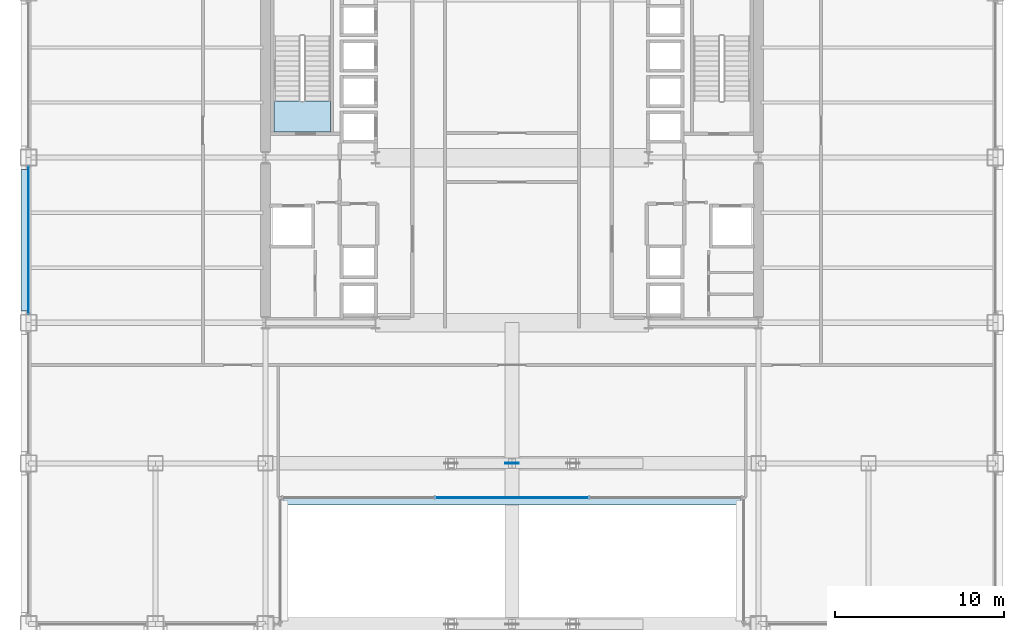
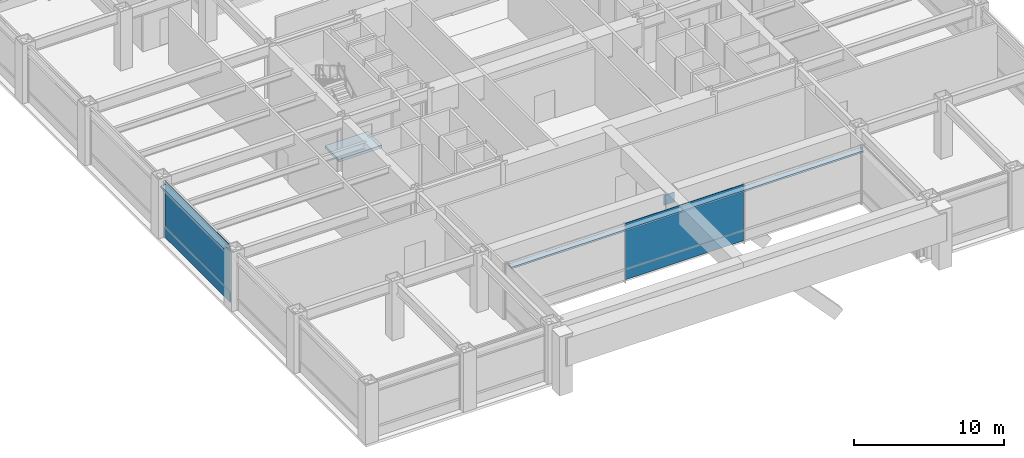
# One storey, part 25 of 37: 7 plates, 1 slab, 2 elements without a shape of their own.
"""IFC4 building model written with IfcOpenShell, lengths in metres."""

from ifc_helpers import new_model, si_unit, direction, frame, origin, origin_2d, place, context, subcontext, project, spatial, polyline, rectangle, outline, extrude, material, layer, layer_set, type_object, element, aggregate, save


model = new_model("IFC4")

# Units and contexts
model_context = context("Model", 3, precision=1e-05, world=origin(), true_north=direction((0.0, 1.0)))
body_context = subcontext(model_context, "Body", "Model", "MODEL_VIEW")
ifc_project = project(units=[si_unit("LENGTHUNIT", "METRE"), si_unit("AREAUNIT", "SQUARE_METRE"), si_unit("VOLUMEUNIT", "CUBIC_METRE"), si_unit("PLANEANGLEUNIT", "RADIAN"), si_unit("MASSUNIT", "GRAM", prefix="KILO")], contexts=[model_context])

# Site, building, storey
site_placement = place(None, origin())
site = spatial("IfcSite", under=ifc_project, at=site_placement, CompositionType="ELEMENT")
building_placement = place(site_placement, origin())
building = spatial("IfcBuilding", under=site, at=building_placement, Name="Brelmoor Portico Tower", CompositionType="ELEMENT")
storey_placement = place(building_placement, frame((0.0, 0.0, 14.39990234375)))
storey = spatial("IfcBuildingStorey", under=building, at=storey_placement, Name="L03", CompositionType="ELEMENT", Elevation=14.39990234375)

# Curtain wall, plate
ifc_material_1 = material(Name="Anodised Aluminium Alloy 6063-T6", Category="aluminium")
ifc_layer_1 = layer(ifc_material_1, 0.179931640625)
ifc_layer_set_1 = layer_set([ifc_layer_1], Name="Anodised Aluminium Alloy 6063-T6")
curtain_wall_type = type_object("IfcCurtainWallType", Name="CW-PODIUM-ARCH", PredefinedType="NOTDEFINED", material=ifc_layer_set_1)
curtain_wall_1_placement = place(storey_placement, origin())
curtain_wall_1 = element("IfcCurtainWall", 1, at=curtain_wall_1_placement, inside=storey, type_object=curtain_wall_type, Name="L03 Curtain Wall CW-L03-05", PredefinedType="NOTDEFINED")
ifc_material_2 = material(Name="Double-Silver Low-E Insulated Glazing", Category="glass")
ifc_layer_2 = layer(ifc_material_2, 0.035888671875)
ifc_layer_set_2 = layer_set([ifc_layer_2], Name="Double-Silver Low-E Insulated Glazing")
plate_type_1 = type_object("IfcPlateType", Name="PT-CW-GLASS", PredefinedType="CURTAIN_PANEL", material=ifc_layer_set_2)
plate_1_placement = place(storey_placement, frame((0.0, -20.080078125, 0.85009765625), z_axis=(0.0, 0.0, 1.0), x_axis=(1.0, 0.0, 0.0)))
plate_1 = element("IfcPlate", 2, at=plate_1_placement, type_object=plate_type_1, Name="CW-L03-05 Vision Glass Panel 01", PredefinedType="CURTAIN_PANEL", context=body_context, shape_type="SweptSolid", body=[
    extrude(rectangle(XDim=9.090087890625, YDim=0.035888671875, at=origin_2d()), origin(), (0.0, 0.0, 1.0), 3.72998046875),
])

curtain_wall_2_placement = place(storey_placement, origin())
curtain_wall_2 = element("IfcCurtainWall", 3, at=curtain_wall_2_placement, inside=storey, type_object=curtain_wall_type, Name="L03 Curtain Wall CW-L03-11-3", PredefinedType="NOTDEFINED")
plate_2_placement = place(storey_placement, frame((-28.550048828125, -4.875, 0.85009765625), z_axis=(0.0, 0.0, 1.0), x_axis=(0.0, 1.0, 0.0)))
plate_2 = element("IfcPlate", 4, at=plate_2_placement, type_object=plate_type_1, Name="CW-L03-11-3 Vision Glass Panel 00", PredefinedType="CURTAIN_PANEL", context=body_context, shape_type="SweptSolid", body=[
    extrude(rectangle(XDim=8.699951171875, YDim=0.035888671875, at=origin_2d()), origin(), (0.0, 0.0, 1.0), 3.72998046875),
])

# Plate
ifc_material_3 = material(Name="Pale Champagne Anodised Aluminium Panel", Category="aluminium")
ifc_layer_3 = layer(ifc_material_3, 0.050048828125)
ifc_layer_set_3 = layer_set([ifc_layer_3], Name="Pale Champagne Anodised Aluminium Panel")
plate_type_2 = type_object("IfcPlateType", Name="PT-CW-SPANDREL", PredefinedType="SHEET", material=ifc_layer_set_3)
plate_3_placement = place(storey_placement, frame((0.0, -20.080078125, 0.0), z_axis=(0.0, 0.0, 1.0), x_axis=(1.0, 0.0, 0.0)))
plate_3 = element("IfcPlate", 5, at=plate_3_placement, type_object=plate_type_2, Name="CW-L03-05 Spandrel Panel 01", PredefinedType="SHEET", context=body_context, shape_type="SweptSolid", body=[
    extrude(rectangle(XDim=9.090087890625, YDim=0.050048828125, at=origin_2d()), origin(), (0.0, 0.0, 1.0), 0.85009765625),
])

aggregate(curtain_wall_1, [plate_3, plate_1])

plate_4_placement = place(storey_placement, frame((-28.550048828125, -4.875, 0.0), z_axis=(0.0, 0.0, 1.0), x_axis=(0.0, 1.0, 0.0)))
plate_4 = element("IfcPlate", 6, at=plate_4_placement, type_object=plate_type_2, Name="CW-L03-11-3 Spandrel Panel 00", PredefinedType="SHEET", context=body_context, shape_type="SweptSolid", body=[
    extrude(rectangle(XDim=8.699951171875, YDim=0.050048828125, at=origin_2d()), origin(), (0.0, 0.0, 1.0), 0.85009765625),
])

aggregate(curtain_wall_2, [plate_4, plate_2])

# Plates
ifc_material_4 = material(Name="Steel Q355B", Category="steel")
ifc_layer_4 = layer(ifc_material_4, 0.050048828125)
ifc_layer_set_4 = layer_set([ifc_layer_4], Name="Steel Q355B")
plate_type_3 = type_object("IfcPlateType", Name="PT-GUSSET-800", PredefinedType="USERDEFINED", material=ifc_layer_set_4)
plate_5_placement = place(storey_placement, frame((0.0, -18.050048828125, 3.35498046875), z_axis=(0.0, 0.0, 1.0), x_axis=(1.0, 0.0, 0.0)))
element("IfcPlate", 7, at=plate_5_placement, inside=storey, type_object=plate_type_3, Name="Portico Arch Gusset Plate S2-4", ObjectType="GUSSET PLATE", PredefinedType="USERDEFINED", context=body_context, shape_type="SweptSolid", body=[
    extrude(rectangle(XDim=0.800048828125, YDim=0.050048828125, at=origin_2d()), origin(), (0.0, 0.0, 1.0), 0.800048828125),
])
ifc_material_5 = material(Name="Pale Champagne Perforated Aluminium Solar Screen", Category="aluminium")
ifc_layer_5 = layer(ifc_material_5, 0.054931640625)
ifc_layer_set_5 = layer_set([ifc_layer_5], Name="Pale Champagne Perforated Aluminium Solar Screen")
plate_type_4 = type_object("IfcPlateType", Name="PT-SOLAR-LOUVRE", PredefinedType="SHEET", material=ifc_layer_set_5)
plate_6_placement = place(storey_placement, frame((0.0, -20.2900390625, 4.27001953125), z_axis=(0.0, 0.0, 1.0), x_axis=(1.0, 0.0, 0.0)))
element("IfcPlate", 8, at=plate_6_placement, inside=storey, type_object=plate_type_4, Name="CW-L03-05 Caribbean Brise-Soleil Solar Screen", PredefinedType="SHEET", context=body_context, shape_type="SweptSolid", body=[
    extrude(rectangle(XDim=27.0, YDim=0.4599609375, at=origin_2d()), origin(), (0.0, 0.0, 1.0), 0.139892578125),
])
plate_7_placement = place(storey_placement, frame((-28.760009765625, -4.875, 4.27001953125), z_axis=(0.0, 0.0, 1.0), x_axis=(0.0, 1.0, 0.0)))
element("IfcPlate", 9, at=plate_7_placement, inside=storey, type_object=plate_type_4, Name="CW-L03-11-3 Caribbean Brise-Soleil Solar Screen", PredefinedType="SHEET", context=body_context, shape_type="SweptSolid", body=[
    extrude(rectangle(XDim=8.3701171875, YDim=0.4599609375, at=origin_2d()), origin(), (0.0, 0.0, 1.0), 0.139892578125),
])

# Slab
ifc_material_6 = material(Name="Concrete C40", Category="concrete")
ifc_layer_6 = layer(ifc_material_6, 0.219970703125)
ifc_layer_set_6 = layer_set([ifc_layer_6], Name="Concrete C40")
slab_type = type_object("IfcSlabType", Name="SL-STAIR-FL220", PredefinedType="LANDING", material=ifc_layer_set_6)
slab_placement = place(storey_placement, frame((0.0, 0.0, -0.219970703125)))
element("IfcSlab", 10, at=slab_placement, inside=storey, type_object=slab_type, Name="L03 ST-W Structural Floor Landing Slab", PredefinedType="LANDING", context=body_context, shape_type="SweptSolid", body=[
    extrude(outline(polyline([(-10.72998046875, 1.5), (-10.72998046875, 3.35009765625), (-14.050048828125, 3.35009765625), (-14.050048828125, 1.5), (-10.72998046875, 1.5)])), origin(), (0.0, 0.0, 1.0), 0.219970703125),
])

save(model, "model.ifc")
